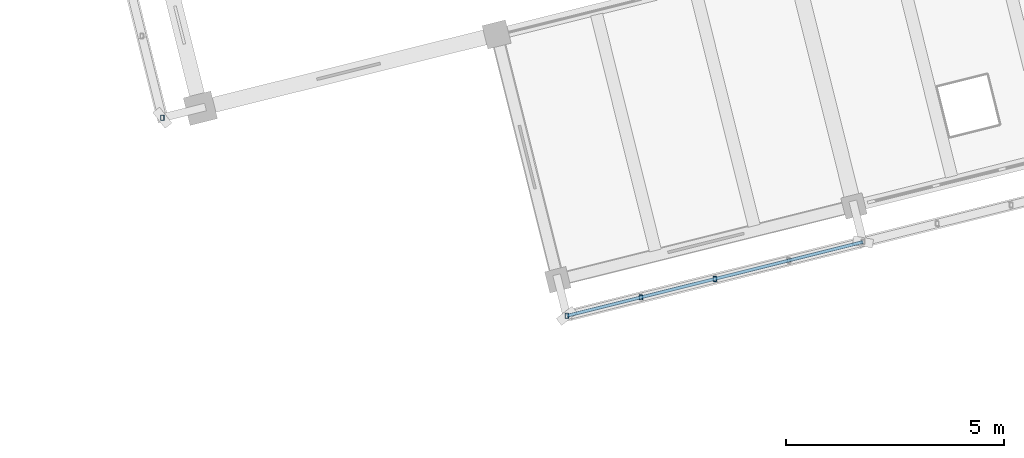
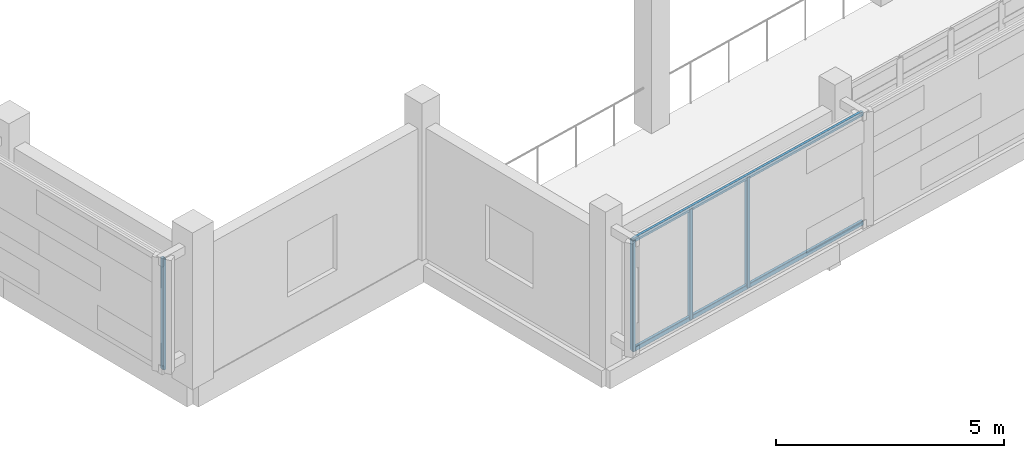
# One storey, part 3 of 137: 6 members.
"""IFC4 building model written with IfcOpenShell, lengths in metres."""

from ifc_helpers import new_model, si_unit, direction, frame, origin, origin_2d, place, context, subcontext, project, spatial, hollow_rectangle, extrude, material, material_profile, profile_set, type_object, element, save


model = new_model("IFC4")

# Units and contexts
model_context = context("Model", 3, precision=1e-05, world=origin(), true_north=direction((0.0, 1.0)))
body_context = subcontext(model_context, "Body", "Model", "MODEL_VIEW")
ifc_project = project(units=[si_unit("LENGTHUNIT", "METRE"), si_unit("AREAUNIT", "SQUARE_METRE"), si_unit("VOLUMEUNIT", "CUBIC_METRE"), si_unit("PLANEANGLEUNIT", "RADIAN"), si_unit("MASSUNIT", "GRAM", prefix="KILO")], contexts=[model_context])

# Site, building, storey
site_placement = place(None, origin())
site = spatial("IfcSite", under=ifc_project, at=site_placement, CompositionType="ELEMENT")
building_placement = place(site_placement, origin())
building = spatial("IfcBuilding", under=site, at=building_placement, Name="Cinderway Yard Community Centre", CompositionType="ELEMENT")
storey_placement = place(building_placement, frame((0.0, 0.0, 4.800048828125)))
storey = spatial("IfcBuildingStorey", under=building, at=storey_placement, Name="L01", CompositionType="ELEMENT", Elevation=4.800048828125)

# Members
ifc_material = material(Name="Steel S355", Category="steel")
ifc_material_profile = material_profile(ifc_material, hollow_rectangle(XDim=0.080078125, YDim=0.1201171875, WallThickness=0.00634765625, InnerFilletRadius=0.00634765625, OuterFilletRadius=0.0126953125, at=origin_2d()), Name="Steel S355")
ifc_profile_set = profile_set([ifc_material_profile], Name="Steel S355")
member_type = type_object("IfcMemberType", Name="ENV-MEM-SCREEN-RAIL-120", PredefinedType="STRINGER", material=ifc_profile_set)
member_placement = place(storey_placement, frame((18.93603515625, 24.89892578125, 0.68994140625), z_axis=(0.0, 0.0, 1.0), x_axis=(1.0, 0.0, 0.0)))
element("IfcMember", 1, at=member_placement, inside=storey, type_object=member_type, Name="Screen vertical mullion 0742", PredefinedType="STRINGER", context=body_context, shape_type="SweptSolid", body=[
    extrude(hollow_rectangle(XDim=0.080078125, YDim=0.1201171875, WallThickness=0.00634765625, InnerFilletRadius=0.00634765625, OuterFilletRadius=0.0126953125, at=origin_2d()), origin(), (0.0, 0.0, 1.0), 2.969970703125),
])
for number, where, z_axis, x_axis, name in (
    (2, (28.2109375, 20.35791015625, 0.7099609375), (0.970306409839, 0.241879042136, 0.0), (-0.241879042136, 0.970306409839, 0.0), "Screen support rail 0826-BOT"),
    (3, (28.2109375, 20.35791015625, 3.639892578125), (0.970306409839, 0.241879042136, 0.0), (-0.241879042136, 0.970306409839, 0.0), "Screen support rail 0827-TOP"),
):
    element("IfcMember", number, at=place(storey_placement, frame(where, z_axis=z_axis, x_axis=x_axis)), inside=storey, type_object=member_type, Name=name, PredefinedType="STRINGER", context=body_context, shape_type="SweptSolid", body=[
        extrude(hollow_rectangle(XDim=0.080078125, YDim=0.1201171875, WallThickness=0.00634765625, InnerFilletRadius=0.00634765625, OuterFilletRadius=0.0126953125, at=origin_2d()), origin(), (0.0, 0.0, 1.0), 6.999755859375),
    ])
for number, where, z_axis, x_axis, name in (
    (4, (28.2109375, 20.35791015625, 0.68994140625), (0.0, 0.0, 1.0), (1.0, 0.0, 0.0), "Screen vertical mullion 0828"),
    (5, (29.908935546875, 20.781005859375, 0.68994140625), (0.0, 0.0, 1.0), (1.0, 0.0, 0.0), "Screen vertical mullion 0829"),
    (6, (31.60693359375, 21.2041015625, 0.68994140625), (0.0, 0.0, 1.0), (1.0, 0.0, 0.0), "Screen vertical mullion 0830"),
):
    element("IfcMember", number, at=place(storey_placement, frame(where, z_axis=z_axis, x_axis=x_axis)), inside=storey, type_object=member_type, Name=name, PredefinedType="STRINGER", context=body_context, shape_type="SweptSolid", body=[
        extrude(hollow_rectangle(XDim=0.080078125, YDim=0.1201171875, WallThickness=0.00634765625, InnerFilletRadius=0.00634765625, OuterFilletRadius=0.0126953125, at=origin_2d()), origin(), (0.0, 0.0, 1.0), 2.969970703125),
    ])

save(model, "model.ifc")
